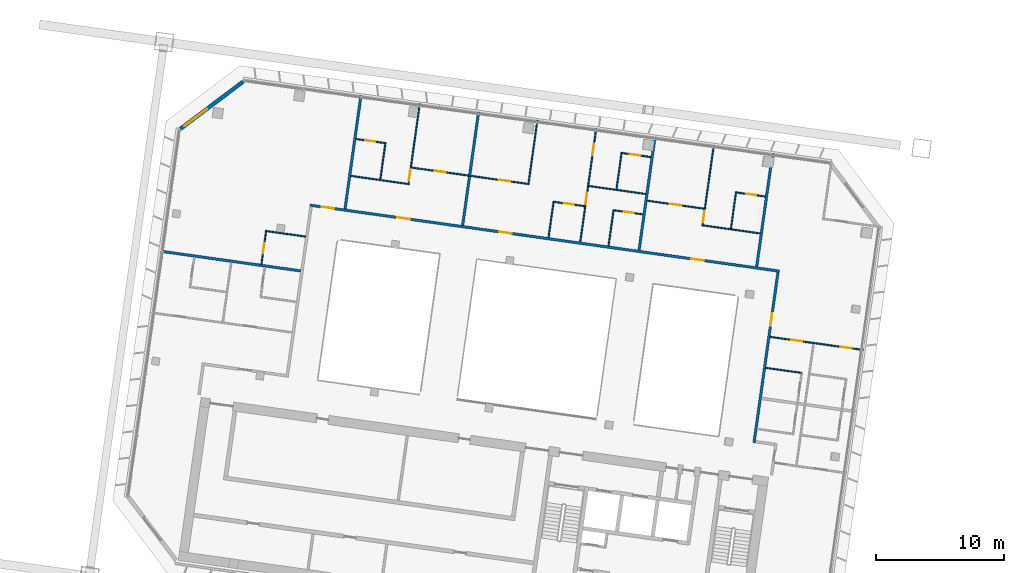
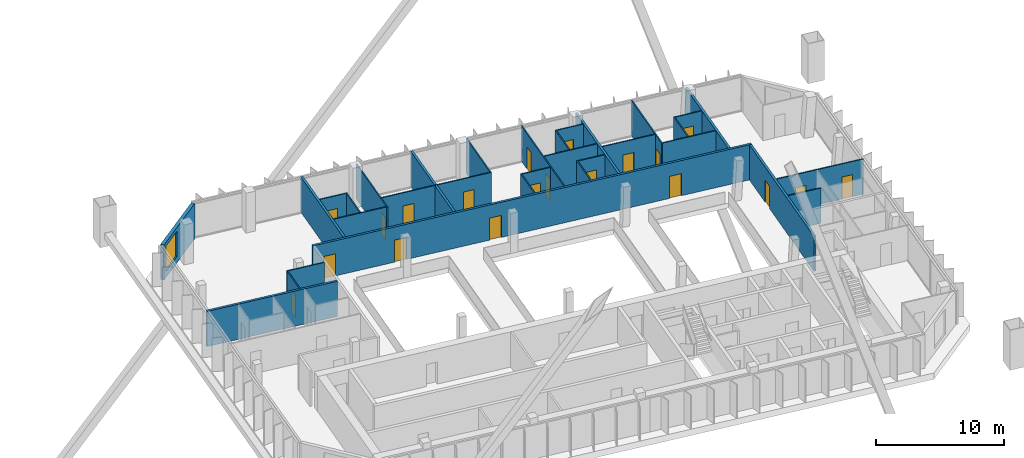
# One storey, part 26 of 38: 31 walls, 20 doors, 1 window, 21 openings.
"""IFC4 building model written with IfcOpenShell, lengths in metres."""

from ifc_helpers import new_model, si_unit, direction, frame, frame_2d, origin, place, context, subcontext, project, spatial, rectangle, extrude, material, layer, layer_set, type_object, element, fill, save


model = new_model("IFC4")

# Units and contexts
model_context = context("Model", 3, precision=1e-05, world=origin(), true_north=direction((0.0, 1.0)))
body_context = subcontext(model_context, "Body", "Model", "MODEL_VIEW")
ifc_project = project(units=[si_unit("LENGTHUNIT", "METRE"), si_unit("AREAUNIT", "SQUARE_METRE"), si_unit("VOLUMEUNIT", "CUBIC_METRE"), si_unit("PLANEANGLEUNIT", "RADIAN"), si_unit("MASSUNIT", "GRAM", prefix="KILO")], contexts=[model_context])

# Site, building, storey
site_placement = place(None, origin())
site = spatial("IfcSite", under=ifc_project, at=site_placement, CompositionType="ELEMENT")
building_placement = place(site_placement, origin())
building = spatial("IfcBuilding", under=site, at=building_placement, Name="Mirante Cascada Hotel Towers", CompositionType="ELEMENT")
storey_placement = place(building_placement, frame((0.0, 0.0, 184.0)))
storey = spatial("IfcBuildingStorey", under=building, at=storey_placement, Name="L43", CompositionType="ELEMENT", Elevation=184.0)

# Wall
ifc_material_1 = material(Name="Fire-rated plasterboard on metal studs")
ifc_layer_1 = layer(ifc_material_1, 0.2)
ifc_layer_set_1 = layer_set([ifc_layer_1], Name="Compartment wall 200 EI 120")
wall_type_1 = type_object("IfcWallType", Name="Compartment wall 200 EI 120", PredefinedType="PARTITIONING", material=ifc_layer_set_1)
wall_1_placement = place(storey_placement, frame((-71.9089, 8.7707, 0.0), z_axis=(0.0, 0.0, 1.0), x_axis=(-0.990268, 0.1391733, 0.0)))
element("IfcWall", 1, at=wall_1_placement, inside=storey, type_object=wall_type_1, Name="Wall 1-L43-14", PredefinedType="PARTITIONING", context=body_context, shape_type="SweptSolid", body=[
    extrude(rectangle(XDim=11.0, YDim=0.2, at=frame_2d((5.5, 0.0))), origin(), (0.0, 0.0, 1.0), 3.35),
])

# Wall, openings, doors
wall_2_placement = place(storey_placement, frame((-34.6489, 8.7516, 0.0), z_axis=(0.0, 0.0, 1.0), x_axis=(-0.990268, 0.1391734, 0.0)))
wall_2 = element("IfcWall", 2, at=wall_2_placement, inside=storey, type_object=wall_type_1, Name="Wall 1-L43-16", PredefinedType="PARTITIONING", context=body_context, shape_type="SweptSolid", body=[
    extrude(rectangle(XDim=36.9, YDim=0.2, at=frame_2d((18.45, 0.0))), origin(), (0.0, 0.0, 1.0), 3.35),
])
opening_1_placement = place(wall_2_placement, frame((5.9237, 0.0, 0.0)))
opening_1 = element("IfcOpeningElement", 3, at=opening_1_placement, cuts=wall_2, Name="Opening D1-L43-09", PredefinedType="OPENING", context=body_context, shape_type="SweptSolid", body=[
    extrude(rectangle(XDim=1.0, YDim=2.1, at=frame_2d((0.5, 1.05))), frame((0.0, 0.1, 0.0), z_axis=(0.0, -1.0, 0.0), x_axis=(1.0, 0.0, 0.0)), (0.0, 0.0, 1.0), 0.2),
])
opening_2_placement = place(wall_2_placement, frame((21.036, 0.0, 0.0)))
opening_2 = element("IfcOpeningElement", 4, at=opening_2_placement, cuts=wall_2, Name="Opening D1-L43-10", PredefinedType="OPENING", context=body_context, shape_type="SweptSolid", body=[
    extrude(rectangle(XDim=1.0, YDim=2.1, at=frame_2d((0.5, 1.05))), frame((0.0, 0.1, 0.0), z_axis=(0.0, -1.0, 0.0), x_axis=(1.0, 0.0, 0.0)), (0.0, 0.0, 1.0), 0.2),
])
opening_3_placement = place(wall_2_placement, frame((29.0338, 0.0, 0.0)))
opening_3 = element("IfcOpeningElement", 5, at=opening_3_placement, cuts=wall_2, Name="Opening D1-L43-11", PredefinedType="OPENING", context=body_context, shape_type="SweptSolid", body=[
    extrude(rectangle(XDim=1.0, YDim=2.1, at=frame_2d((0.5, 1.05))), frame((0.0, 0.1, 0.0), z_axis=(0.0, -1.0, 0.0), x_axis=(1.0, 0.0, 0.0)), (0.0, 0.0, 1.0), 0.2),
])
opening_4_placement = place(wall_2_placement, frame((34.9779, 0.0, 0.0)))
opening_4 = element("IfcOpeningElement", 6, at=opening_4_placement, cuts=wall_2, Name="Opening D1-L43-12", PredefinedType="OPENING", context=body_context, shape_type="SweptSolid", body=[
    extrude(rectangle(XDim=1.0, YDim=2.1, at=frame_2d((0.5, 1.05))), frame((0.0, 0.1, 0.0), z_axis=(0.0, -1.0, 0.0), x_axis=(1.0, 0.0, 0.0)), (0.0, 0.0, 1.0), 0.2),
])
ifc_material_2 = material(Name="Fire-rated timber door leaf", Category="wood")
door_type_1 = type_object("IfcDoorType", Name="Entrance door DG1 1000x2100 EI 60", OperationType="SINGLE_SWING_LEFT", PredefinedType="DOOR", material=ifc_material_2)
door_1_placement = place(opening_1_placement, frame((1.0, 0.0, 0.0), z_axis=(0.0, 0.0, 1.0), x_axis=(-1.0, 0.0, 0.0)))
door_1 = element("IfcDoor", 7, at=door_1_placement, inside=storey, type_object=door_type_1, Name="Door D1-L43-09", OperationType="SINGLE_SWING_RIGHT", OverallHeight=2.1, OverallWidth=1.0, PredefinedType="DOOR", context=body_context, shape_type="SweptSolid", body=[
    extrude(rectangle(XDim=1.0, YDim=2.1, at=frame_2d((0.5, 1.05))), frame((0.0, 0.025, 0.0), z_axis=(0.0, -1.0, 0.0), x_axis=(1.0, 0.0, 0.0)), (0.0, 0.0, 1.0), 0.05),
])
fill(opening_1, door_1)
door_2_placement = place(opening_2_placement, frame((1.0, 0.0, 0.0), z_axis=(0.0, 0.0, 1.0), x_axis=(-1.0, 0.0, 0.0)))
door_2 = element("IfcDoor", 8, at=door_2_placement, inside=storey, type_object=door_type_1, Name="Door D1-L43-10", OperationType="SINGLE_SWING_RIGHT", OverallHeight=2.1, OverallWidth=1.0, PredefinedType="DOOR", context=body_context, shape_type="SweptSolid", body=[
    extrude(rectangle(XDim=1.0, YDim=2.1, at=frame_2d((0.5, 1.05))), frame((0.0, 0.025, 0.0), z_axis=(0.0, -1.0, 0.0), x_axis=(1.0, 0.0, 0.0)), (0.0, 0.0, 1.0), 0.05),
])
fill(opening_2, door_2)
door_3_placement = place(opening_3_placement, frame((1.0, 0.0, 0.0), z_axis=(0.0, 0.0, 1.0), x_axis=(-1.0, 0.0, 0.0)))
door_3 = element("IfcDoor", 9, at=door_3_placement, inside=storey, type_object=door_type_1, Name="Door D1-L43-11", OperationType="SINGLE_SWING_RIGHT", OverallHeight=2.1, OverallWidth=1.0, PredefinedType="DOOR", context=body_context, shape_type="SweptSolid", body=[
    extrude(rectangle(XDim=1.0, YDim=2.1, at=frame_2d((0.5, 1.05))), frame((0.0, 0.025, 0.0), z_axis=(0.0, -1.0, 0.0), x_axis=(1.0, 0.0, 0.0)), (0.0, 0.0, 1.0), 0.05),
])
fill(opening_3, door_3)
door_4_placement = place(opening_4_placement, frame((1.0, 0.0, 0.0), z_axis=(0.0, 0.0, 1.0), x_axis=(-1.0, 0.0, 0.0)))
door_4 = element("IfcDoor", 10, at=door_4_placement, inside=storey, type_object=door_type_1, Name="Door D1-L43-12", OperationType="SINGLE_SWING_RIGHT", OverallHeight=2.1, OverallWidth=1.0, PredefinedType="DOOR", context=body_context, shape_type="SweptSolid", body=[
    extrude(rectangle(XDim=1.0, YDim=2.1, at=frame_2d((0.5, 1.05))), frame((0.0, 0.025, 0.0), z_axis=(0.0, -1.0, 0.0), x_axis=(1.0, 0.0, 0.0)), (0.0, 0.0, 1.0), 0.05),
])
fill(opening_4, door_4)

# Wall, opening, door
wall_3_placement = place(storey_placement, frame((-36.6268, -4.6031, 0.0), z_axis=(0.0, 0.0, 1.0), x_axis=(0.1391789, 0.9902673, 0.0)))
wall_3 = element("IfcWall", 11, at=wall_3_placement, inside=storey, type_object=wall_type_1, Name="Wall 1-L43-34", PredefinedType="PARTITIONING", context=body_context, shape_type="SweptSolid", body=[
    extrude(rectangle(XDim=13.4, YDim=0.2, at=frame_2d((6.7, 0.0))), origin(), (0.0, 0.0, 1.0), 3.35),
])
opening_5_placement = place(wall_3_placement, frame((9.1833, 0.0, 0.0)))
opening_5 = element("IfcOpeningElement", 12, at=opening_5_placement, cuts=wall_3, Name="Opening D1-L43-27", PredefinedType="OPENING", context=body_context, shape_type="SweptSolid", body=[
    extrude(rectangle(XDim=1.0, YDim=2.1, at=frame_2d((0.5, 1.05))), frame((0.0, 0.1, 0.0), z_axis=(0.0, -1.0, 0.0), x_axis=(1.0, 0.0, 0.0)), (0.0, 0.0, 1.0), 0.2),
])
door_5_placement = place(opening_5_placement, frame((1.0, 0.0, 0.0), z_axis=(0.0, 0.0, 1.0), x_axis=(-1.0, 0.0, 0.0)))
door_5 = element("IfcDoor", 13, at=door_5_placement, inside=storey, type_object=door_type_1, Name="Door D1-L43-27", OperationType="SINGLE_SWING_RIGHT", OverallHeight=2.1, OverallWidth=1.0, PredefinedType="DOOR", context=body_context, shape_type="SweptSolid", body=[
    extrude(rectangle(XDim=1.0, YDim=2.1, at=frame_2d((0.5, 1.05))), frame((0.0, 0.025, 0.0), z_axis=(0.0, -1.0, 0.0), x_axis=(1.0, 0.0, 0.0)), (0.0, 0.0, 1.0), 0.05),
])
fill(opening_5, door_5)

# Walls
for number, where, z_axis, x_axis, name in (
    (14, (-35.1805, 17.9148, 0.0), (0.0, 0.0, 1.0), (-0.1391794, -0.9902672, 0.0), "Wall 1-L43-35"),
    (15, (-45.5732, 10.3879, 0.0), (0.0, 0.0, 1.0), (0.1391684, 0.9902687, 0.0), "Wall 1-L43-38"),
    (16, (-59.3043, 12.3177, 0.0), (0.0, 0.0, 1.0), (0.1391684, 0.9902687, 0.0), "Wall 1-L43-44"),
    (17, (-67.2198, 22.4176, 0.0), (0.0, 0.0, 1.0), (-0.1391794, -0.9902672, 0.0), "Wall 1-L43-47"),
):
    element("IfcWall", number, at=place(storey_placement, frame(where, z_axis=z_axis, x_axis=x_axis)), inside=storey, type_object=wall_type_1, Name=name, PredefinedType="PARTITIONING", context=body_context, shape_type="SweptSolid", body=[
        extrude(rectangle(XDim=8.9, YDim=0.2, at=frame_2d((4.45, 0.0))), origin(), (0.0, 0.0, 1.0), 3.35),
    ])
ifc_material_3 = material(Name="Plasterboard on metal studs")
ifc_layer_2 = layer(ifc_material_3, 0.1)
ifc_layer_set_2 = layer_set([ifc_layer_2], Name="Partition 100")
wall_type_2 = type_object("IfcWallType", Name="Partition 100", PredefinedType="PARTITIONING", material=ifc_layer_set_2)
wall_4_placement = place(storey_placement, frame((-32.9632, 0.84, 0.0), z_axis=(0.0, 0.0, 1.0), x_axis=(-0.9902661, 0.1391874, 0.0)))
element("IfcWall", 18, at=wall_4_placement, inside=storey, type_object=wall_type_2, Name="Wall 1-L43-10", PredefinedType="PARTITIONING", context=body_context, shape_type="SweptSolid", body=[
    extrude(rectangle(XDim=2.7704, YDim=0.1, at=frame_2d((1.3852, 0.0))), origin(), (0.0, 0.0, 1.0), 3.35),
])

# Wall, openings, doors
wall_5_placement = place(storey_placement, frame((-35.368, 3.6352, 0.0), z_axis=(0.0, 0.0, 1.0), x_axis=(0.9902682, -0.1391719, 0.0)))
wall_5 = element("IfcWall", 19, at=wall_5_placement, inside=storey, type_object=wall_type_2, Name="Wall 1-L43-13", PredefinedType="PARTITIONING", context=body_context, shape_type="SweptSolid", body=[
    extrude(rectangle(XDim=7.3204, YDim=0.1, at=frame_2d((3.6602, 0.0))), origin(), (0.0, 0.0, 1.0), 3.35),
])
opening_6_placement = place(wall_5_placement, frame((5.5153, 0.0, 0.0)))
opening_6 = element("IfcOpeningElement", 20, at=opening_6_placement, cuts=wall_5, Name="Opening D1-L43-07", PredefinedType="OPENING", context=body_context, shape_type="SweptSolid", body=[
    extrude(rectangle(XDim=0.9, YDim=2.1, at=frame_2d((0.45, 1.05))), frame((0.0, 0.05, 0.0), z_axis=(0.0, -1.0, 0.0), x_axis=(1.0, 0.0, 0.0)), (0.0, 0.0, 1.0), 0.1),
])
opening_7_placement = place(wall_5_placement, frame((1.6051, 0.0, 0.0)))
opening_7 = element("IfcOpeningElement", 21, at=opening_7_placement, cuts=wall_5, Name="Opening D1-L43-08", PredefinedType="OPENING", context=body_context, shape_type="SweptSolid", body=[
    extrude(rectangle(XDim=0.9, YDim=2.1, at=frame_2d((0.45, 1.05))), frame((0.0, 0.05, 0.0), z_axis=(0.0, -1.0, 0.0), x_axis=(1.0, 0.0, 0.0)), (0.0, 0.0, 1.0), 0.1),
])
ifc_material_4 = material(Name="Timber door leaf", Category="wood")
door_type_2 = type_object("IfcDoorType", Name="Room door DG3 900x2100", OperationType="SINGLE_SWING_LEFT", PredefinedType="DOOR", material=ifc_material_4)
door_6_placement = place(opening_6_placement, origin())
door_6 = element("IfcDoor", 22, at=door_6_placement, inside=storey, type_object=door_type_2, Name="Door D1-L43-07", OperationType="SINGLE_SWING_LEFT", OverallHeight=2.1, OverallWidth=0.9, PredefinedType="DOOR", context=body_context, shape_type="SweptSolid", body=[
    extrude(rectangle(XDim=0.9, YDim=2.1, at=frame_2d((0.45, 1.05))), frame((0.0, 0.025, 0.0), z_axis=(0.0, -1.0, 0.0), x_axis=(1.0, 0.0, 0.0)), (0.0, 0.0, 1.0), 0.05),
])
fill(opening_6, door_6)
door_7_placement = place(opening_7_placement, origin())
door_7 = element("IfcDoor", 23, at=door_7_placement, inside=storey, type_object=door_type_2, Name="Door D1-L43-08", OperationType="SINGLE_SWING_LEFT", OverallHeight=2.1, OverallWidth=0.9, PredefinedType="DOOR", context=body_context, shape_type="SweptSolid", body=[
    extrude(rectangle(XDim=0.9, YDim=2.1, at=frame_2d((0.45, 1.05))), frame((0.0, 0.025, 0.0), z_axis=(0.0, -1.0, 0.0), x_axis=(1.0, 0.0, 0.0)), (0.0, 0.0, 1.0), 0.05),
])
fill(opening_7, door_7)

# Walls
wall_6_placement = place(storey_placement, frame((-74.6524, 11.8828, 0.0), z_axis=(0.0, 0.0, 1.0), x_axis=(0.9902676, -0.1391765, 0.0)))
element("IfcWall", 24, at=wall_6_placement, inside=storey, type_object=wall_type_2, Name="Wall 1-L43-15", PredefinedType="PARTITIONING", context=body_context, shape_type="SweptSolid", body=[
    extrude(rectangle(XDim=3.15, YDim=0.1, at=frame_2d((1.575, 0.0))), origin(), (0.0, 0.0, 1.0), 3.35),
])
for number, where, z_axis, x_axis, name in (
    (25, (-40.5848, 12.3124, 0.0), (0.0, 0.0, 1.0), (0.9902676, -0.1391764, 0.0), "Wall 1-L43-17"),
    (26, (-63.5691, 15.5426, 0.0), (0.0, 0.0, 1.0), (-0.9902676, 0.1391764, 0.0), "Wall 1-L43-18"),
):
    element("IfcWall", number, at=place(storey_placement, frame(where, z_axis=z_axis, x_axis=x_axis)), inside=storey, type_object=wall_type_2, Name=name, PredefinedType="PARTITIONING", context=body_context, shape_type="SweptSolid", body=[
        extrude(rectangle(XDim=4.472, YDim=0.1, at=frame_2d((2.236, 0.0))), origin(), (0.0, 0.0, 1.0), 3.35),
    ])

# Wall, opening, door
wall_7_placement = place(storey_placement, frame((-47.5106, 13.4877, 0.0), z_axis=(0.0, 0.0, 1.0), x_axis=(0.9902705, -0.1391561, 0.0)))
wall_7 = element("IfcWall", 27, at=wall_7_placement, inside=storey, type_object=wall_type_2, Name="Wall 1-L43-19", PredefinedType="PARTITIONING", context=body_context, shape_type="SweptSolid", body=[
    extrude(rectangle(XDim=2.25, YDim=0.1, at=frame_2d((1.125, 0.0))), origin(), (0.0, 0.0, 1.0), 3.35),
])
opening_8_placement = place(wall_7_placement, frame((0.75, 0.0, 0.0)))
opening_8 = element("IfcOpeningElement", 28, at=opening_8_placement, cuts=wall_7, Name="Opening D1-L43-13", PredefinedType="OPENING", context=body_context, shape_type="SweptSolid", body=[
    extrude(rectangle(XDim=0.8, YDim=2.1, at=frame_2d((0.4, 1.05))), frame((0.0, 0.05, 0.0), z_axis=(0.0, -1.0, 0.0), x_axis=(1.0, 0.0, 0.0)), (0.0, 0.0, 1.0), 0.1),
])
ifc_material_5 = material(Name="Timber door leaf", Category="wood")
door_type_3 = type_object("IfcDoorType", Name="Bathroom door DG4 800x2100", OperationType="SINGLE_SWING_LEFT", PredefinedType="DOOR", material=ifc_material_5)
door_8_placement = place(opening_8_placement, frame((0.8, 0.0, 0.0), z_axis=(0.0, 0.0, 1.0), x_axis=(-1.0, 0.0, 0.0)))
door_8 = element("IfcDoor", 29, at=door_8_placement, inside=storey, type_object=door_type_3, Name="Door D1-L43-13", OperationType="SINGLE_SWING_RIGHT", OverallHeight=2.1, OverallWidth=0.8, PredefinedType="DOOR", context=body_context, shape_type="SweptSolid", body=[
    extrude(rectangle(XDim=0.8, YDim=2.1, at=frame_2d((0.4, 1.05))), frame((0.0, 0.025, 0.0), z_axis=(0.0, -1.0, 0.0), x_axis=(1.0, 0.0, 0.0)), (0.0, 0.0, 1.0), 0.05),
])
fill(opening_8, door_8)

wall_8_placement = place(storey_placement, frame((-49.8101, 13.8109, 0.0), z_axis=(0.0, 0.0, 1.0), x_axis=(-0.9902663, 0.1391857, 0.0)))
wall_8 = element("IfcWall", 30, at=wall_8_placement, inside=storey, type_object=wall_type_2, Name="Wall 1-L43-20", PredefinedType="PARTITIONING", context=body_context, shape_type="SweptSolid", body=[
    extrude(rectangle(XDim=2.3925, YDim=0.1, at=frame_2d((1.1962, 0.0))), origin(), (0.0, 0.0, 1.0), 3.35),
])
opening_9_placement = place(wall_8_placement, frame((0.8424, 0.0, 0.0)))
opening_9 = element("IfcOpeningElement", 31, at=opening_9_placement, cuts=wall_8, Name="Opening D1-L43-14", PredefinedType="OPENING", context=body_context, shape_type="SweptSolid", body=[
    extrude(rectangle(XDim=0.8, YDim=2.1, at=frame_2d((0.4, 1.05))), frame((0.0, 0.05, 0.0), z_axis=(0.0, -1.0, 0.0), x_axis=(1.0, 0.0, 0.0)), (0.0, 0.0, 1.0), 0.1),
])
door_9_placement = place(opening_9_placement, frame((0.8, 0.0, 0.0), z_axis=(0.0, 0.0, 1.0), x_axis=(-1.0, 0.0, 0.0)))
door_9 = element("IfcDoor", 32, at=door_9_placement, inside=storey, type_object=door_type_3, Name="Door D1-L43-14", OperationType="SINGLE_SWING_RIGHT", OverallHeight=2.1, OverallWidth=0.8, PredefinedType="DOOR", context=body_context, shape_type="SweptSolid", body=[
    extrude(rectangle(XDim=0.8, YDim=2.1, at=frame_2d((0.4, 1.05))), frame((0.0, 0.025, 0.0), z_axis=(0.0, -1.0, 0.0), x_axis=(1.0, 0.0, 0.0)), (0.0, 0.0, 1.0), 0.05),
])
fill(opening_9, door_9)

wall_9_placement = place(storey_placement, frame((-44.9314, 14.2361, 0.0), z_axis=(0.0, 0.0, 1.0), x_axis=(0.9902676, -0.1391764, 0.0)))
wall_9 = element("IfcWall", 33, at=wall_9_placement, inside=storey, type_object=wall_type_2, Name="Wall 1-L43-21", PredefinedType="PARTITIONING", context=body_context, shape_type="SweptSolid", body=[
    extrude(rectangle(XDim=4.472, YDim=0.1, at=frame_2d((2.236, 0.0))), origin(), (0.0, 0.0, 1.0), 3.35),
])
opening_10_placement = place(wall_9_placement, frame((1.761, 0.0, 0.0)))
opening_10 = element("IfcOpeningElement", 34, at=opening_10_placement, cuts=wall_9, Name="Opening D1-L43-15", PredefinedType="OPENING", context=body_context, shape_type="SweptSolid", body=[
    extrude(rectangle(XDim=0.9, YDim=2.1, at=frame_2d((0.45, 1.05))), frame((0.0, 0.05, 0.0), z_axis=(0.0, -1.0, 0.0), x_axis=(1.0, 0.0, 0.0)), (0.0, 0.0, 1.0), 0.1),
])
door_10_placement = place(opening_10_placement, frame((0.9, 0.0, 0.0), z_axis=(0.0, 0.0, 1.0), x_axis=(-1.0, 0.0, 0.0)))
door_10 = element("IfcDoor", 35, at=door_10_placement, inside=storey, type_object=door_type_2, Name="Door D1-L43-15", OperationType="SINGLE_SWING_RIGHT", OverallHeight=2.1, OverallWidth=0.9, PredefinedType="DOOR", context=body_context, shape_type="SweptSolid", body=[
    extrude(rectangle(XDim=0.9, YDim=2.1, at=frame_2d((0.45, 1.05))), frame((0.0, 0.025, 0.0), z_axis=(0.0, -1.0, 0.0), x_axis=(1.0, 0.0, 0.0)), (0.0, 0.0, 1.0), 0.05),
])
fill(opening_10, door_10)

# Wall, openings, doors
wall_10_placement = place(storey_placement, frame((-54.135, 15.5295, 0.0), z_axis=(0.0, 0.0, 1.0), x_axis=(-0.9902672, 0.1391796, 0.0)))
wall_10 = element("IfcWall", 36, at=wall_10_placement, inside=storey, type_object=wall_type_2, Name="Wall 1-L43-22", PredefinedType="PARTITIONING", context=body_context, shape_type="SweptSolid", body=[
    extrude(rectangle(XDim=9.2442, YDim=0.1, at=frame_2d((4.6221, 0.0))), origin(), (0.0, 0.0, 1.0), 3.35),
])
opening_11_placement = place(wall_10_placement, frame((1.472, 0.0, 0.0)))
opening_11 = element("IfcOpeningElement", 37, at=opening_11_placement, cuts=wall_10, Name="Opening D1-L43-16", PredefinedType="OPENING", context=body_context, shape_type="SweptSolid", body=[
    extrude(rectangle(XDim=0.9, YDim=2.1, at=frame_2d((0.45, 1.05))), frame((0.0, 0.05, 0.0), z_axis=(0.0, -1.0, 0.0), x_axis=(1.0, 0.0, 0.0)), (0.0, 0.0, 1.0), 0.1),
])
opening_12_placement = place(wall_10_placement, frame((6.5331, 0.0, 0.0)))
opening_12 = element("IfcOpeningElement", 38, at=opening_12_placement, cuts=wall_10, Name="Opening D1-L43-17", PredefinedType="OPENING", context=body_context, shape_type="SweptSolid", body=[
    extrude(rectangle(XDim=0.9, YDim=2.1, at=frame_2d((0.45, 1.05))), frame((0.0, 0.05, 0.0), z_axis=(0.0, -1.0, 0.0), x_axis=(1.0, 0.0, 0.0)), (0.0, 0.0, 1.0), 0.1),
])
door_11_placement = place(opening_11_placement, frame((0.9, 0.0, 0.0), z_axis=(0.0, 0.0, 1.0), x_axis=(-1.0, 0.0, 0.0)))
door_11 = element("IfcDoor", 39, at=door_11_placement, inside=storey, type_object=door_type_2, Name="Door D1-L43-16", OperationType="SINGLE_SWING_RIGHT", OverallHeight=2.1, OverallWidth=0.9, PredefinedType="DOOR", context=body_context, shape_type="SweptSolid", body=[
    extrude(rectangle(XDim=0.9, YDim=2.1, at=frame_2d((0.45, 1.05))), frame((0.0, 0.025, 0.0), z_axis=(0.0, -1.0, 0.0), x_axis=(1.0, 0.0, 0.0)), (0.0, 0.0, 1.0), 0.05),
])
fill(opening_11, door_11)
door_12_placement = place(opening_12_placement, origin())
door_12 = element("IfcDoor", 40, at=door_12_placement, inside=storey, type_object=door_type_2, Name="Door D1-L43-17", OperationType="SINGLE_SWING_LEFT", OverallHeight=2.1, OverallWidth=0.9, PredefinedType="DOOR", context=body_context, shape_type="SweptSolid", body=[
    extrude(rectangle(XDim=0.9, YDim=2.1, at=frame_2d((0.45, 1.05))), frame((0.0, 0.025, 0.0), z_axis=(0.0, -1.0, 0.0), x_axis=(1.0, 0.0, 0.0)), (0.0, 0.0, 1.0), 0.05),
])
fill(opening_12, door_12)

# Wall
wall_11_placement = place(storey_placement, frame((-45.0599, 14.759, 0.0), z_axis=(0.0, 0.0, 1.0), x_axis=(-0.9902676, 0.1391764, 0.0)))
element("IfcWall", 41, at=wall_11_placement, inside=storey, type_object=wall_type_2, Name="Wall 1-L43-24", PredefinedType="PARTITIONING", context=body_context, shape_type="SweptSolid", body=[
    extrude(rectangle(XDim=4.472, YDim=0.1, at=frame_2d((2.236, 0.0))), origin(), (0.0, 0.0, 1.0), 3.35),
])

# Wall, opening, door
wall_12_placement = place(storey_placement, frame((-37.9808, 14.8749, 0.0), z_axis=(0.0, 0.0, 1.0), x_axis=(0.9902705, -0.1391561, 0.0)))
wall_12 = element("IfcWall", 42, at=wall_12_placement, inside=storey, type_object=wall_type_2, Name="Wall 1-L43-25", PredefinedType="PARTITIONING", context=body_context, shape_type="SweptSolid", body=[
    extrude(rectangle(XDim=2.25, YDim=0.1, at=frame_2d((1.125, 0.0))), origin(), (0.0, 0.0, 1.0), 3.35),
])
opening_13_placement = place(wall_12_placement, frame((0.75, 0.0, 0.0)))
opening_13 = element("IfcOpeningElement", 43, at=opening_13_placement, cuts=wall_12, Name="Opening D1-L43-19", PredefinedType="OPENING", context=body_context, shape_type="SweptSolid", body=[
    extrude(rectangle(XDim=0.8, YDim=2.1, at=frame_2d((0.4, 1.05))), frame((0.0, 0.05, 0.0), z_axis=(0.0, -1.0, 0.0), x_axis=(1.0, 0.0, 0.0)), (0.0, 0.0, 1.0), 0.1),
])
door_13_placement = place(opening_13_placement, origin())
door_13 = element("IfcDoor", 44, at=door_13_placement, inside=storey, type_object=door_type_3, Name="Door D1-L43-19", OperationType="SINGLE_SWING_LEFT", OverallHeight=2.1, OverallWidth=0.8, PredefinedType="DOOR", context=body_context, shape_type="SweptSolid", body=[
    extrude(rectangle(XDim=0.8, YDim=2.1, at=frame_2d((0.4, 1.05))), frame((0.0, 0.025, 0.0), z_axis=(0.0, -1.0, 0.0), x_axis=(1.0, 0.0, 0.0)), (0.0, 0.0, 1.0), 0.05),
])
fill(opening_13, door_13)

wall_13_placement = place(storey_placement, frame((-65.3659, 18.7237, 0.0), z_axis=(0.0, 0.0, 1.0), x_axis=(-0.9902705, 0.1391561, 0.0)))
wall_13 = element("IfcWall", 45, at=wall_13_placement, inside=storey, type_object=wall_type_2, Name="Wall 1-L43-26", PredefinedType="PARTITIONING", context=body_context, shape_type="SweptSolid", body=[
    extrude(rectangle(XDim=2.25, YDim=0.1, at=frame_2d((1.125, 0.0))), origin(), (0.0, 0.0, 1.0), 3.35),
])
opening_14_placement = place(wall_13_placement, frame((0.75, 0.0, 0.0)))
opening_14 = element("IfcOpeningElement", 46, at=opening_14_placement, cuts=wall_13, Name="Opening D1-L43-20", PredefinedType="OPENING", context=body_context, shape_type="SweptSolid", body=[
    extrude(rectangle(XDim=0.8, YDim=2.1, at=frame_2d((0.4, 1.05))), frame((0.0, 0.05, 0.0), z_axis=(0.0, -1.0, 0.0), x_axis=(1.0, 0.0, 0.0)), (0.0, 0.0, 1.0), 0.1),
])
door_14_placement = place(opening_14_placement, frame((0.8, 0.0, 0.0), z_axis=(0.0, 0.0, 1.0), x_axis=(-1.0, 0.0, 0.0)))
door_14 = element("IfcDoor", 47, at=door_14_placement, inside=storey, type_object=door_type_3, Name="Door D1-L43-20", OperationType="SINGLE_SWING_RIGHT", OverallHeight=2.1, OverallWidth=0.8, PredefinedType="DOOR", context=body_context, shape_type="SweptSolid", body=[
    extrude(rectangle(XDim=0.8, YDim=2.1, at=frame_2d((0.4, 1.05))), frame((0.0, 0.025, 0.0), z_axis=(0.0, -1.0, 0.0), x_axis=(1.0, 0.0, 0.0)), (0.0, 0.0, 1.0), 0.05),
])
fill(opening_14, door_14)

wall_14_placement = place(storey_placement, frame((-46.8844, 17.9439, 0.0), z_axis=(0.0, 0.0, 1.0), x_axis=(0.9902705, -0.1391561, 0.0)))
wall_14 = element("IfcWall", 48, at=wall_14_placement, inside=storey, type_object=wall_type_2, Name="Wall 1-L43-27", PredefinedType="PARTITIONING", context=body_context, shape_type="SweptSolid", body=[
    extrude(rectangle(XDim=2.25, YDim=0.1, at=frame_2d((1.125, 0.0))), origin(), (0.0, 0.0, 1.0), 3.35),
])
opening_15_placement = place(wall_14_placement, frame((0.6, 0.0, 0.0)))
opening_15 = element("IfcOpeningElement", 49, at=opening_15_placement, cuts=wall_14, Name="Opening D1-L43-21", PredefinedType="OPENING", context=body_context, shape_type="SweptSolid", body=[
    extrude(rectangle(XDim=0.8, YDim=2.1, at=frame_2d((0.4, 1.05))), frame((0.0, 0.05, 0.0), z_axis=(0.0, -1.0, 0.0), x_axis=(1.0, 0.0, 0.0)), (0.0, 0.0, 1.0), 0.1),
])
door_15_placement = place(opening_15_placement, frame((0.8, 0.0, 0.0), z_axis=(0.0, 0.0, 1.0), x_axis=(-1.0, 0.0, 0.0)))
door_15 = element("IfcDoor", 50, at=door_15_placement, inside=storey, type_object=door_type_3, Name="Door D1-L43-21", OperationType="SINGLE_SWING_RIGHT", OverallHeight=2.1, OverallWidth=0.8, PredefinedType="DOOR", context=body_context, shape_type="SweptSolid", body=[
    extrude(rectangle(XDim=0.8, YDim=2.1, at=frame_2d((0.4, 1.05))), frame((0.0, 0.025, 0.0), z_axis=(0.0, -1.0, 0.0), x_axis=(1.0, 0.0, 0.0)), (0.0, 0.0, 1.0), 0.05),
])
fill(opening_15, door_15)

# Wall
wall_15_placement = place(storey_placement, frame((-38.427, 12.0596, 0.0), z_axis=(0.0, 0.0, 1.0), x_axis=(0.1391714, 0.9902683, 0.0)))
element("IfcWall", 51, at=wall_15_placement, inside=storey, type_object=wall_type_2, Name="Wall 1-L43-36", PredefinedType="PARTITIONING", context=body_context, shape_type="SweptSolid", body=[
    extrude(rectangle(XDim=2.9, YDim=0.1, at=frame_2d((1.45, 0.0))), origin(), (0.0, 0.0, 1.0), 3.35),
])

# Wall, opening, door
wall_16_placement = place(storey_placement, frame((-39.7575, 18.5581, 0.0), z_axis=(0.0, 0.0, 1.0), x_axis=(-0.139181, -0.990267, 0.0)))
wall_16 = element("IfcWall", 52, at=wall_16_placement, inside=storey, type_object=wall_type_2, Name="Wall 1-L43-37", PredefinedType="PARTITIONING", context=body_context, shape_type="SweptSolid", body=[
    extrude(rectangle(XDim=6.35, YDim=0.1, at=frame_2d((3.175, 0.0))), origin(), (0.0, 0.0, 1.0), 3.35),
])
opening_16_placement = place(wall_16_placement, frame((5.15, 0.0, 0.0)))
opening_16 = element("IfcOpeningElement", 53, at=opening_16_placement, cuts=wall_16, Name="Opening D1-L43-28", PredefinedType="OPENING", context=body_context, shape_type="SweptSolid", body=[
    extrude(rectangle(XDim=0.9, YDim=2.1, at=frame_2d((0.45, 1.05))), frame((0.0, 0.05, 0.0), z_axis=(0.0, -1.0, 0.0), x_axis=(1.0, 0.0, 0.0)), (0.0, 0.0, 1.0), 0.1),
])
door_16_placement = place(opening_16_placement, origin())
door_16 = element("IfcDoor", 54, at=door_16_placement, inside=storey, type_object=door_type_2, Name="Door D1-L43-28", OperationType="SINGLE_SWING_LEFT", OverallHeight=2.1, OverallWidth=0.9, PredefinedType="DOOR", context=body_context, shape_type="SweptSolid", body=[
    extrude(rectangle(XDim=0.9, YDim=2.1, at=frame_2d((0.45, 1.05))), frame((0.0, 0.025, 0.0), z_axis=(0.0, -1.0, 0.0), x_axis=(1.0, 0.0, 0.0)), (0.0, 0.0, 1.0), 0.05),
])
fill(opening_16, door_16)

# Walls
wall_17_placement = place(storey_placement, frame((-47.5532, 13.5442, 0.0), z_axis=(0.0, 0.0, 1.0), x_axis=(-0.1391564, -0.9902704, 0.0)))
element("IfcWall", 55, at=wall_17_placement, inside=storey, type_object=wall_type_2, Name="Wall 1-L43-39", PredefinedType="PARTITIONING", context=body_context, shape_type="SweptSolid", body=[
    extrude(rectangle(XDim=2.85, YDim=0.1, at=frame_2d((1.425, 0.0))), origin(), (0.0, 0.0, 1.0), 3.35),
])
wall_18_placement = place(storey_placement, frame((-47.3305, 15.1286, 0.0), z_axis=(0.0, 0.0, 1.0), x_axis=(0.1391714, 0.9902683, 0.0)))
element("IfcWall", 56, at=wall_18_placement, inside=storey, type_object=wall_type_2, Name="Wall 1-L43-40", PredefinedType="PARTITIONING", context=body_context, shape_type="SweptSolid", body=[
    extrude(rectangle(XDim=2.9, YDim=0.1, at=frame_2d((1.45, 0.0))), origin(), (0.0, 0.0, 1.0), 3.35),
])

# Wall, openings, doors
wall_19_placement = place(storey_placement, frame((-48.9117, 19.8446, 0.0), z_axis=(0.0, 0.0, 1.0), x_axis=(-0.1391684, -0.9902687, 0.0)))
wall_19 = element("IfcWall", 57, at=wall_19_placement, inside=storey, type_object=wall_type_2, Name="Wall 1-L43-41", PredefinedType="PARTITIONING", context=body_context, shape_type="SweptSolid", body=[
    extrude(rectangle(XDim=8.9, YDim=0.1, at=frame_2d((4.45, 0.0))), origin(), (0.0, 0.0, 1.0), 3.35),
])
opening_17_placement = place(wall_19_placement, frame((5.05, 0.0, 0.0)))
opening_17 = element("IfcOpeningElement", 58, at=opening_17_placement, cuts=wall_19, Name="Opening D1-L43-29", PredefinedType="OPENING", context=body_context, shape_type="SweptSolid", body=[
    extrude(rectangle(XDim=0.9, YDim=2.1, at=frame_2d((0.45, 1.05))), frame((0.0, 0.05, 0.0), z_axis=(0.0, -1.0, 0.0), x_axis=(1.0, 0.0, 0.0)), (0.0, 0.0, 1.0), 0.1),
])
opening_18_placement = place(wall_19_placement, frame((1.2, 0.0, 0.0)))
opening_18 = element("IfcOpeningElement", 59, at=opening_18_placement, cuts=wall_19, Name="Opening D1-L43-30", PredefinedType="OPENING", context=body_context, shape_type="SweptSolid", body=[
    extrude(rectangle(XDim=0.9, YDim=2.1, at=frame_2d((0.45, 1.05))), frame((0.0, 0.05, 0.0), z_axis=(0.0, -1.0, 0.0), x_axis=(1.0, 0.0, 0.0)), (0.0, 0.0, 1.0), 0.1),
])
door_17_placement = place(opening_17_placement, frame((0.9, 0.0, 0.0), z_axis=(0.0, 0.0, 1.0), x_axis=(-1.0, 0.0, 0.0)))
door_17 = element("IfcDoor", 60, at=door_17_placement, inside=storey, type_object=door_type_2, Name="Door D1-L43-29", OperationType="SINGLE_SWING_RIGHT", OverallHeight=2.1, OverallWidth=0.9, PredefinedType="DOOR", context=body_context, shape_type="SweptSolid", body=[
    extrude(rectangle(XDim=0.9, YDim=2.1, at=frame_2d((0.45, 1.05))), frame((0.0, 0.025, 0.0), z_axis=(0.0, -1.0, 0.0), x_axis=(1.0, 0.0, 0.0)), (0.0, 0.0, 1.0), 0.05),
])
fill(opening_17, door_17)
door_18_placement = place(opening_18_placement, frame((0.9, 0.0, 0.0), z_axis=(0.0, 0.0, 1.0), x_axis=(-1.0, 0.0, 0.0)))
door_18 = element("IfcDoor", 61, at=door_18_placement, inside=storey, type_object=door_type_2, Name="Door D1-L43-30", OperationType="SINGLE_SWING_RIGHT", OverallHeight=2.1, OverallWidth=0.9, PredefinedType="DOOR", context=body_context, shape_type="SweptSolid", body=[
    extrude(rectangle(XDim=0.9, YDim=2.1, at=frame_2d((0.45, 1.05))), frame((0.0, 0.025, 0.0), z_axis=(0.0, -1.0, 0.0), x_axis=(1.0, 0.0, 0.0)), (0.0, 0.0, 1.0), 0.05),
])
fill(opening_18, door_18)

# Walls
wall_20_placement = place(storey_placement, frame((-52.6185, 11.3781, 0.0), z_axis=(0.0, 0.0, 1.0), x_axis=(0.1391957, 0.9902649, 0.0)))
element("IfcWall", 62, at=wall_20_placement, inside=storey, type_object=wall_type_2, Name="Wall 1-L43-42", PredefinedType="PARTITIONING", context=body_context, shape_type="SweptSolid", body=[
    extrude(rectangle(XDim=2.8499, YDim=0.1, at=frame_2d((1.425, 0.0))), origin(), (0.0, 0.0, 1.0), 3.35),
])
wall_21_placement = place(storey_placement, frame((-53.4887, 20.4878, 0.0), z_axis=(0.0, 0.0, 1.0), x_axis=(-0.1391725, -0.9902682, 0.0)))
element("IfcWall", 63, at=wall_21_placement, inside=storey, type_object=wall_type_2, Name="Wall 1-L43-43", PredefinedType="PARTITIONING", context=body_context, shape_type="SweptSolid", body=[
    extrude(rectangle(XDim=4.95, YDim=0.1, at=frame_2d((2.475, 0.0))), origin(), (0.0, 0.0, 1.0), 3.35),
])

# Wall, opening, door
wall_22_placement = place(storey_placement, frame((-62.6428, 21.7744, 0.0), z_axis=(0.0, 0.0, 1.0), x_axis=(-0.139181, -0.990267, 0.0)))
wall_22 = element("IfcWall", 64, at=wall_22_placement, inside=storey, type_object=wall_type_2, Name="Wall 1-L43-45", PredefinedType="PARTITIONING", context=body_context, shape_type="SweptSolid", body=[
    extrude(rectangle(XDim=6.35, YDim=0.1, at=frame_2d((3.175, 0.0))), origin(), (0.0, 0.0, 1.0), 3.35),
])
opening_19_placement = place(wall_22_placement, frame((5.15, 0.0, 0.0)))
opening_19 = element("IfcOpeningElement", 65, at=opening_19_placement, cuts=wall_22, Name="Opening D1-L43-31", PredefinedType="OPENING", context=body_context, shape_type="SweptSolid", body=[
    extrude(rectangle(XDim=0.9, YDim=2.1, at=frame_2d((0.45, 1.05))), frame((0.0, 0.05, 0.0), z_axis=(0.0, -1.0, 0.0), x_axis=(1.0, 0.0, 0.0)), (0.0, 0.0, 1.0), 0.1),
])
door_19_placement = place(opening_19_placement, origin())
door_19 = element("IfcDoor", 66, at=door_19_placement, inside=storey, type_object=door_type_2, Name="Door D1-L43-31", OperationType="SINGLE_SWING_LEFT", OverallHeight=2.1, OverallWidth=0.9, PredefinedType="DOOR", context=body_context, shape_type="SweptSolid", body=[
    extrude(rectangle(XDim=0.9, YDim=2.1, at=frame_2d((0.45, 1.05))), frame((0.0, 0.025, 0.0), z_axis=(0.0, -1.0, 0.0), x_axis=(1.0, 0.0, 0.0)), (0.0, 0.0, 1.0), 0.05),
])
fill(opening_19, door_19)

# Wall
wall_23_placement = place(storey_placement, frame((-65.713, 15.8944, 0.0), z_axis=(0.0, 0.0, 1.0), x_axis=(0.1391714, 0.9902683, 0.0)))
element("IfcWall", 67, at=wall_23_placement, inside=storey, type_object=wall_type_2, Name="Wall 1-L43-46", PredefinedType="PARTITIONING", context=body_context, shape_type="SweptSolid", body=[
    extrude(rectangle(XDim=2.9, YDim=0.1, at=frame_2d((1.45, 0.0))), origin(), (0.0, 0.0, 1.0), 3.35),
])

# Wall, opening, door
wall_24_placement = place(storey_placement, frame((-74.9648, 9.3012, 0.0), z_axis=(0.0, 0.0, 1.0), x_axis=(0.1391755, 0.9902677, 0.0)))
wall_24 = element("IfcWall", 68, at=wall_24_placement, inside=storey, type_object=wall_type_2, Name="Wall 1-L43-50", PredefinedType="PARTITIONING", context=body_context, shape_type="SweptSolid", body=[
    extrude(rectangle(XDim=2.55, YDim=0.1, at=frame_2d((1.275, 0.0))), origin(), (0.0, 0.0, 1.0), 3.35),
])
opening_20_placement = place(wall_24_placement, frame((0.85, 0.0, 0.0)))
opening_20 = element("IfcOpeningElement", 69, at=opening_20_placement, cuts=wall_24, Name="Opening D1-L43-33", PredefinedType="OPENING", context=body_context, shape_type="SweptSolid", body=[
    extrude(rectangle(XDim=0.8, YDim=2.1, at=frame_2d((0.4, 1.05))), frame((0.0, 0.05, 0.0), z_axis=(0.0, -1.0, 0.0), x_axis=(1.0, 0.0, 0.0)), (0.0, 0.0, 1.0), 0.1),
])
door_20_placement = place(opening_20_placement, origin())
door_20 = element("IfcDoor", 70, at=door_20_placement, inside=storey, type_object=door_type_3, Name="Door D1-L43-33", OperationType="SINGLE_SWING_LEFT", OverallHeight=2.1, OverallWidth=0.8, PredefinedType="DOOR", context=body_context, shape_type="SweptSolid", body=[
    extrude(rectangle(XDim=0.8, YDim=2.1, at=frame_2d((0.4, 1.05))), frame((0.0, 0.025, 0.0), z_axis=(0.0, -1.0, 0.0), x_axis=(1.0, 0.0, 0.0)), (0.0, 0.0, 1.0), 0.05),
])
fill(opening_20, door_20)

# Wall, opening, window
ifc_material_6 = material(Name="Precast concrete C40/50", Category="concrete")
ifc_layer_3 = layer(ifc_material_6, 0.3)
ifc_layer_set_3 = layer_set([ifc_layer_3], Name="Precast concrete C40/50 cladding wall 300")
wall_type_3 = type_object("IfcWallType", Name="Precast concrete C40/50 cladding wall 300", PredefinedType="STANDARD", material=ifc_layer_set_3)
wall_25_placement = place(storey_placement, frame((-81.2671, 19.8291, 0.0), z_axis=(0.0, 0.0, 1.0), x_axis=(0.7986343, 0.6018167, 0.0)))
wall_25 = element("IfcWall", 71, at=wall_25_placement, inside=storey, type_object=wall_type_3, Name="Corner cladding wall T1 L43 outer front", PredefinedType="STANDARD", context=body_context, shape_type="SweptSolid", body=[
    extrude(rectangle(XDim=6.1158, YDim=0.3, at=frame_2d((3.0579, 0.0))), origin(), (0.0, 0.0, 1.0), 3.35),
])
opening_21_placement = place(wall_25_placement, frame((0.3914, 0.0, 0.6)))
opening_21 = element("IfcOpeningElement", 72, at=opening_21_placement, cuts=wall_25, Name="Opening W1-43-02", PredefinedType="OPENING", context=body_context, shape_type="SweptSolid", body=[
    extrude(rectangle(XDim=2.2, YDim=2.4, at=frame_2d((1.1, 1.2))), frame((0.0, 0.15, 0.0), z_axis=(0.0, -1.0, 0.0), x_axis=(1.0, 0.0, 0.0)), (0.0, 0.0, 1.0), 0.3),
])
ifc_material_7 = material(Name="Aluminium frame with clear double glazing", Category="aluminium")
window_type = type_object("IfcWindowType", Name="Corner suite window 2200x2400", PartitioningType="DOUBLE_PANEL_VERTICAL", PredefinedType="WINDOW", material=ifc_material_7)
window_placement = place(opening_21_placement, origin())
window = element("IfcWindow", 73, at=window_placement, inside=storey, type_object=window_type, Name="Window W1-43-02", OverallHeight=2.4, OverallWidth=2.2, PartitioningType="SINGLE_PANEL", PredefinedType="WINDOW", context=body_context, shape_type="SweptSolid", body=[
    extrude(rectangle(XDim=2.2, YDim=2.4, at=frame_2d((1.1, 1.2))), frame((0.0, 0.03, 0.0), z_axis=(0.0, -1.0, 0.0), x_axis=(1.0, 0.0, 0.0)), (0.0, 0.0, 1.0), 0.06),
])
fill(opening_21, window)

save(model, "model.ifc")
